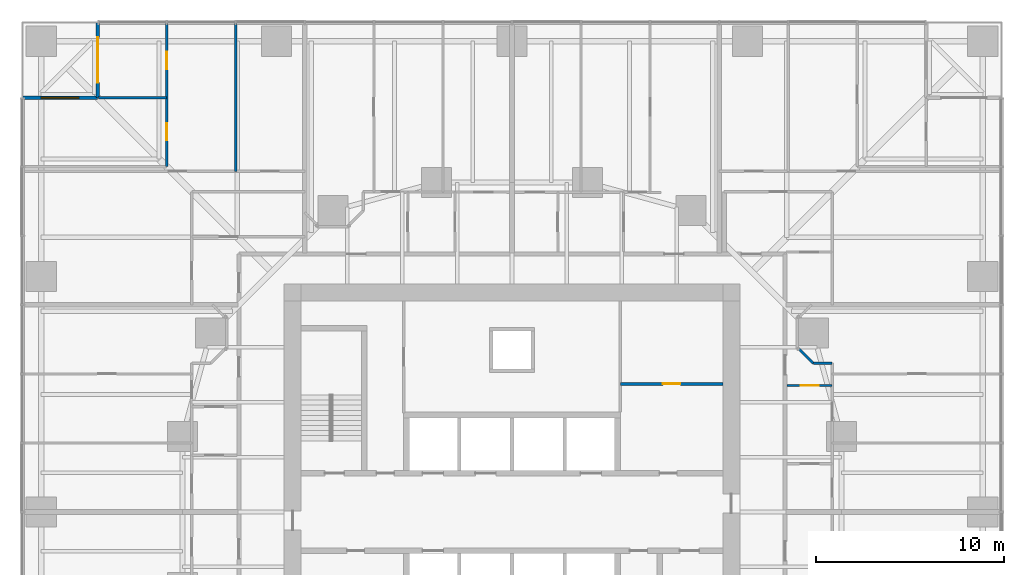
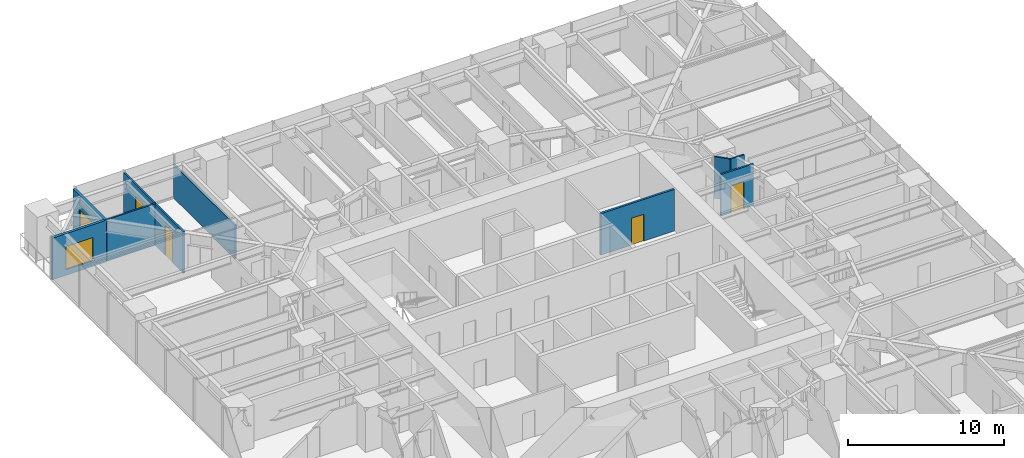
# One storey, part 14 of 17: 9 walls, 5 doors, 1 window, 6 openings.
"""IFC4 building model written with IfcOpenShell, lengths in metres."""

from ifc_helpers import new_model, si_unit, direction, frame, frame_2d, origin, place, context, subcontext, project, spatial, rectangle, extrude, material, layer, layer_set, type_object, element, fill, save


model = new_model("IFC4")

# Units and contexts
model_context = context("Model", 3, precision=1e-05, world=origin(), true_north=direction((0.0, 1.0)))
body_context = subcontext(model_context, "Body", "Model", "MODEL_VIEW")
ifc_project = project(units=[si_unit("LENGTHUNIT", "METRE"), si_unit("AREAUNIT", "SQUARE_METRE"), si_unit("VOLUMEUNIT", "CUBIC_METRE"), si_unit("PLANEANGLEUNIT", "RADIAN"), si_unit("MASSUNIT", "GRAM", prefix="KILO")], contexts=[model_context])

# Site, building, storey
site_placement = place(None, origin())
site = spatial("IfcSite", under=ifc_project, at=site_placement, CompositionType="ELEMENT")
building_placement = place(site_placement, origin())
building = spatial("IfcBuilding", under=site, at=building_placement, Name="Torsade Residences", CompositionType="ELEMENT")
storey_placement = place(building_placement, frame((0.0, 0.0, 18.39990234375)))
storey = spatial("IfcBuildingStorey", under=building, at=storey_placement, Name="L04", CompositionType="ELEMENT", Elevation=18.39990234375)

# Wall, opening, door
ifc_material_1 = material(Name="Plasterboard on steel stud", Category="steel")
ifc_layer_1 = layer(ifc_material_1, 0.1201171875)
ifc_layer_set_1 = layer_set([ifc_layer_1], Name="Plasterboard on steel stud")
wall_type_1 = type_object("IfcWallType", Name="PARTITION 120", PredefinedType="PARTITIONING", material=ifc_layer_set_1)
wall_1_placement = place(storey_placement, frame((57.0, 36.71630859375, 0.0), z_axis=(0.0, 0.0, 1.0), x_axis=(-1.0, 0.0, 0.0)))
wall_1 = element("IfcWall", 1, at=wall_1_placement, inside=storey, type_object=wall_type_1, Name="Partition L04", PredefinedType="PARTITIONING", context=body_context, shape_type="SweptSolid", body=[
    extrude(rectangle(XDim=2.39990234375, YDim=0.1201171875, at=frame_2d((1.199951171875, 0.0))), origin(), (0.0, 0.0, 1.0), 3.25),
])
opening_1_placement = place(wall_1_placement, frame((0.719970703125, 0.0, 0.0)))
opening_1 = element("IfcOpeningElement", 2, at=opening_1_placement, cuts=wall_1, Name="Opening D05", PredefinedType="OPENING", context=body_context, shape_type="SweptSolid", body=[
    extrude(rectangle(XDim=0.9599609375, YDim=2.10009765625, at=frame_2d((0.47998046875, 1.050048828125))), frame((0.0, 0.070068359375, 0.0), z_axis=(0.0, -1.0, 0.0), x_axis=(1.0, 0.0, 0.0)), (0.0, 0.0, 1.0), 0.14013671875),
])
ifc_material_2 = material(Name="Hollow-core timber door in a steel cavity frame", Category="steel")
door_type_1 = type_object("IfcDoorType", Name="BATHROOM CAVITY SLIDING DOOR 960", OperationType="SLIDING_TO_LEFT", PredefinedType="DOOR", material=ifc_material_2)
door_1_placement = place(opening_1_placement, origin())
door_1 = element("IfcDoor", 3, at=door_1_placement, inside=storey, type_object=door_type_1, Name="Door Kitchen and dining to Bathroom", OperationType="SLIDING_TO_LEFT", OverallHeight=2.10009765625, OverallWidth=0.9599609375, PredefinedType="DOOR", context=body_context, shape_type="SweptSolid", body=[
    extrude(rectangle(XDim=0.9599609375, YDim=2.10009765625, at=frame_2d((0.47998046875, 1.050048828125))), frame((0.0, 0.02490234375, 0.0), z_axis=(0.0, -1.0, 0.0), x_axis=(1.0, 0.0, 0.0)), (0.0, 0.0, 1.0), 0.050048828125),
])
fill(opening_1, door_1)

# Walls
wall_2_placement = place(storey_placement, frame((55.25, 38.64990234375, 0.0), z_axis=(0.0, 0.0, 1.0), x_axis=(0.707106781187, -0.707106781187, 0.0)))
element("IfcWall", 4, at=wall_2_placement, inside=storey, type_object=wall_type_1, Name="Partition L04", PredefinedType="PARTITIONING", context=body_context, shape_type="SweptSolid", body=[
    extrude(rectangle(XDim=1.060546875, YDim=0.1201171875, at=frame_2d((0.5302734375, 0.0))), origin(), (0.0, 0.0, 1.0), 3.25),
])
wall_3_placement = place(storey_placement, frame((56.0, 37.89990234375, 0.0), z_axis=(0.0, 0.0, 1.0), x_axis=(1.0, 0.0, 0.0)))
element("IfcWall", 5, at=wall_3_placement, inside=storey, type_object=wall_type_1, Name="Partition L04", PredefinedType="PARTITIONING", context=body_context, shape_type="SweptSolid", body=[
    extrude(rectangle(XDim=1.0, YDim=0.1201171875, at=frame_2d((0.5, 0.0))), origin(), (0.0, 0.0, 1.0), 3.25),
])
wall_4_placement = place(storey_placement, frame((25.333251953125, 55.9599609375, 0.0), z_axis=(0.0, 0.0, 1.0), x_axis=(0.0, -1.0, 0.0)))
element("IfcWall", 6, at=wall_4_placement, inside=storey, type_object=wall_type_1, Name="Partition L04", PredefinedType="PARTITIONING", context=body_context, shape_type="SweptSolid", body=[
    extrude(rectangle(XDim=7.870849609375, YDim=0.1201171875, at=frame_2d((3.935546875, 0.0))), origin(), (0.0, 0.0, 1.0), 2.63818359375),
])

# Wall, openings, doors
wall_5_placement = place(storey_placement, frame((21.666748046875, 48.333251953125, 0.0), z_axis=(0.0, 0.0, 1.0), x_axis=(0.0, 1.0, 0.0)))
wall_5 = element("IfcWall", 7, at=wall_5_placement, inside=storey, type_object=wall_type_1, Name="Partition L04", PredefinedType="PARTITIONING", context=body_context, shape_type="SweptSolid", body=[
    extrude(rectangle(XDim=7.626708984375, YDim=0.1201171875, at=frame_2d((3.8134765625, 0.0))), origin(), (0.0, 0.0, 1.0), 3.25),
])
opening_2_placement = place(wall_5_placement, frame((5.181640625, 0.0, 0.0)))
opening_2 = element("IfcOpeningElement", 8, at=opening_2_placement, cuts=wall_5, Name="Opening D02", PredefinedType="OPENING", context=body_context, shape_type="SweptSolid", body=[
    extrude(rectangle(XDim=0.919921875, YDim=2.340087890625, at=frame_2d((0.4599609375, 1.169921875))), frame((0.0, 0.070068359375, 0.0), z_axis=(0.0, -1.0, 0.0), x_axis=(1.0, 0.0, 0.0)), (0.0, 0.0, 1.0), 0.14013671875),
])
opening_3_placement = place(wall_5_placement, frame((1.3984375, 0.0, 0.0)))
opening_3 = element("IfcOpeningElement", 9, at=opening_3_placement, cuts=wall_5, Name="Opening D02", PredefinedType="OPENING", context=body_context, shape_type="SweptSolid", body=[
    extrude(rectangle(XDim=0.919921875, YDim=2.340087890625, at=frame_2d((0.4599609375, 1.169921875))), frame((0.0, 0.070068359375, 0.0), z_axis=(0.0, -1.0, 0.0), x_axis=(1.0, 0.0, 0.0)), (0.0, 0.0, 1.0), 0.14013671875),
])
ifc_material_3 = material(Name="Hollow-core timber door", Category="wood")
door_type_2 = type_object("IfcDoorType", Name="INTERNAL DOOR 920x2340", OperationType="NOTDEFINED", PredefinedType="DOOR", material=ifc_material_3)
door_2_placement = place(opening_2_placement, origin())
door_2 = element("IfcDoor", 10, at=door_2_placement, inside=storey, type_object=door_type_2, Name="Door Bedroom 1 to Family room", OperationType="SINGLE_SWING_LEFT", OverallHeight=2.340087890625, OverallWidth=0.919921875, PredefinedType="DOOR", context=body_context, shape_type="SweptSolid", body=[
    extrude(rectangle(XDim=0.919921875, YDim=2.340087890625, at=frame_2d((0.4599609375, 1.169921875))), frame((0.0, 0.02490234375, 0.0), z_axis=(0.0, -1.0, 0.0), x_axis=(1.0, 0.0, 0.0)), (0.0, 0.0, 1.0), 0.050048828125),
])
fill(opening_2, door_2)
door_3_placement = place(opening_3_placement, origin())
door_3 = element("IfcDoor", 11, at=door_3_placement, inside=storey, type_object=door_type_2, Name="Door Bedroom 1 to Study", OperationType="SINGLE_SWING_RIGHT", OverallHeight=2.340087890625, OverallWidth=0.919921875, PredefinedType="DOOR", context=body_context, shape_type="SweptSolid", body=[
    extrude(rectangle(XDim=0.919921875, YDim=2.340087890625, at=frame_2d((0.4599609375, 1.169921875))), frame((0.0, 0.02490234375, 0.0), z_axis=(0.0, -1.0, 0.0), x_axis=(1.0, 0.0, 0.0)), (0.0, 0.0, 1.0), 0.050048828125),
])
fill(opening_3, door_3)

# Wall
wall_6_placement = place(storey_placement, frame((18.0400390625, 52.0, 0.0), z_axis=(0.0, 0.0, 1.0), x_axis=(1.0, 0.0, 0.0)))
element("IfcWall", 12, at=wall_6_placement, inside=storey, type_object=wall_type_1, Name="Partition L04", PredefinedType="PARTITIONING", context=body_context, shape_type="SweptSolid", body=[
    extrude(rectangle(XDim=3.626708984375, YDim=0.1201171875, at=frame_2d((1.8134765625, 0.0))), origin(), (0.0, 0.0, 1.0), 3.25),
])

# Wall, opening, door
ifc_material_4 = material(Name="Reinforced blockwork", Category="masonry")
ifc_layer_2 = layer(ifc_material_4, 0.14990234375)
ifc_layer_set_2 = layer_set([ifc_layer_2], Name="Reinforced blockwork")
wall_type_2 = type_object("IfcWallType", Name="SERVICE ROOM WALL 150", PredefinedType="SOLIDWALL", material=ifc_layer_set_2)
wall_7_placement = place(storey_placement, frame((45.75, 36.800048828125, 0.0), z_axis=(0.0, 0.0, 1.0), x_axis=(1.0, 0.0, 0.0)))
wall_7 = element("IfcWall", 13, at=wall_7_placement, inside=storey, type_object=wall_type_2, Name="Service room wall L04", PredefinedType="SOLIDWALL", context=body_context, shape_type="SweptSolid", body=[
    extrude(rectangle(XDim=5.449951171875, YDim=0.14990234375, at=frame_2d((2.72509765625, 0.0))), origin(), (0.0, 0.0, 1.0), 3.25),
])
opening_4_placement = place(wall_7_placement, frame((2.264892578125, 0.0, 0.0)))
opening_4 = element("IfcOpeningElement", 14, at=opening_4_placement, cuts=wall_7, Name="Opening D06", PredefinedType="OPENING", context=body_context, shape_type="SweptSolid", body=[
    extrude(rectangle(XDim=0.919921875, YDim=2.10009765625, at=frame_2d((0.4599609375, 1.050048828125))), frame((0.0, 0.0849609375, 0.0), z_axis=(0.0, -1.0, 0.0), x_axis=(1.0, 0.0, 0.0)), (0.0, 0.0, 1.0), 0.169921875),
])
ifc_material_5 = material(Name="Steel-framed fire door", Category="steel")
door_type_3 = type_object("IfcDoorType", Name="FIRE DOOR 920", OperationType="NOTDEFINED", PredefinedType="DOOR", material=ifc_material_5)
door_4_placement = place(opening_4_placement, origin())
door_4 = element("IfcDoor", 15, at=door_4_placement, inside=storey, type_object=door_type_3, Name="Door Refuse room to Bulky waste store", OperationType="SINGLE_SWING_LEFT", OverallHeight=2.10009765625, OverallWidth=0.919921875, PredefinedType="DOOR", context=body_context, shape_type="SweptSolid", body=[
    extrude(rectangle(XDim=0.919921875, YDim=2.10009765625, at=frame_2d((0.4599609375, 1.050048828125))), frame((0.0, 0.02490234375, 0.0), z_axis=(0.0, -1.0, 0.0), x_axis=(1.0, 0.0, 0.0)), (0.0, 0.0, 1.0), 0.050048828125),
])
fill(opening_4, door_4)

ifc_material_6 = material(Name="Stone-faced precast concrete 40 MPa panel", Category="masonry")
ifc_layer_3 = layer(ifc_material_6, 0.199951171875)
ifc_layer_set_3 = layer_set([ifc_layer_3], Name="Stone-faced precast concrete 40 MPa panel")
wall_type_3 = type_object("IfcWallType", Name="TERRACE WALL 200", PredefinedType="SOLIDWALL", material=ifc_layer_set_3)
wall_8_placement = place(storey_placement, frame((18.0, 56.0, 0.0), z_axis=(0.0, 0.0, 1.0), x_axis=(0.0, -1.0, 0.0)))
wall_8 = element("IfcWall", 16, at=wall_8_placement, inside=storey, type_object=wall_type_3, Name="Terrace wall L04 8", PredefinedType="SOLIDWALL", context=body_context, shape_type="SweptSolid", body=[
    extrude(rectangle(XDim=4.0, YDim=0.199951171875, at=frame_2d((2.0, 0.0))), origin(), (0.0, 0.0, 1.0), 3.25),
])
opening_5_placement = place(wall_8_placement, frame((0.800048828125, 0.0, 0.0)))
opening_5 = element("IfcOpeningElement", 17, at=opening_5_placement, cuts=wall_8, Name="Opening D10A", PredefinedType="OPENING", context=body_context, shape_type="SweptSolid", body=[
    extrude(rectangle(XDim=2.39990234375, YDim=2.10009765625, at=frame_2d((1.199951171875, 1.050048828125))), frame((0.0, 0.10986328125, 0.0), z_axis=(0.0, -1.0, 0.0), x_axis=(1.0, 0.0, 0.0)), (0.0, 0.0, 1.0), 0.219970703125),
])
ifc_material_7 = material(Name="Aluminium-framed glass door", Category="aluminium")
door_type_4 = type_object("IfcDoorType", Name="TERRACE SLIDING DOOR 2400x2100", OperationType="SLIDING_TO_LEFT", PredefinedType="DOOR", material=ifc_material_7)
door_5_placement = place(opening_5_placement, origin())
door_5 = element("IfcDoor", 18, at=door_5_placement, inside=storey, type_object=door_type_4, Name="Terrace door L04 8", OperationType="SLIDING_TO_LEFT", OverallHeight=2.10009765625, OverallWidth=2.39990234375, PredefinedType="DOOR", context=body_context, shape_type="SweptSolid", body=[
    extrude(rectangle(XDim=2.39990234375, YDim=2.10009765625, at=frame_2d((1.199951171875, 1.050048828125))), frame((0.0, 0.02490234375, 0.0), z_axis=(0.0, -1.0, 0.0), x_axis=(1.0, 0.0, 0.0)), (0.0, 0.0, 1.0), 0.050048828125),
])
fill(opening_5, door_5)

# Wall, opening, window
wall_9_placement = place(storey_placement, frame((18.0, 52.0, 0.0), z_axis=(0.0, 0.0, 1.0), x_axis=(-1.0, 0.0, 0.0)))
wall_9 = element("IfcWall", 19, at=wall_9_placement, inside=storey, type_object=wall_type_3, Name="Terrace wall L04 9", PredefinedType="SOLIDWALL", context=body_context, shape_type="SweptSolid", body=[
    extrude(rectangle(XDim=4.0, YDim=0.199951171875, at=frame_2d((2.0, 0.0))), origin(), (0.0, 0.0, 1.0), 3.25),
])
opening_6_placement = place(wall_9_placement, frame((1.0, 0.0, 0.449951171875)))
opening_6 = element("IfcOpeningElement", 20, at=opening_6_placement, cuts=wall_9, Name="Opening W1B", PredefinedType="OPENING", context=body_context, shape_type="SweptSolid", body=[
    extrude(rectangle(XDim=2.0, YDim=1.800048828125, at=frame_2d((1.0, 0.89990234375))), frame((0.0, 0.10986328125, 0.0), z_axis=(0.0, -1.0, 0.0), x_axis=(1.0, 0.0, 0.0)), (0.0, 0.0, 1.0), 0.219970703125),
])
ifc_material_8 = material(Name="Aluminium-framed glass window", Category="aluminium")
window_type = type_object("IfcWindowType", Name="TERRACE WINDOW 2000x1800", PartitioningType="SINGLE_PANEL", PredefinedType="WINDOW", material=ifc_material_8)
window_placement = place(opening_6_placement, origin())
window = element("IfcWindow", 21, at=window_placement, inside=storey, type_object=window_type, Name="Terrace window L04 9", OverallHeight=1.800048828125, OverallWidth=2.0, PartitioningType="SINGLE_PANEL", PredefinedType="WINDOW", context=body_context, shape_type="SweptSolid", body=[
    extrude(rectangle(XDim=2.0, YDim=1.800048828125, at=frame_2d((1.0, 0.89990234375))), frame((0.0, 0.030029296875, 0.0), z_axis=(0.0, -1.0, 0.0), x_axis=(1.0, 0.0, 0.0)), (0.0, 0.0, 1.0), 0.06005859375),
])
fill(opening_6, window)

save(model, "model.ifc")
